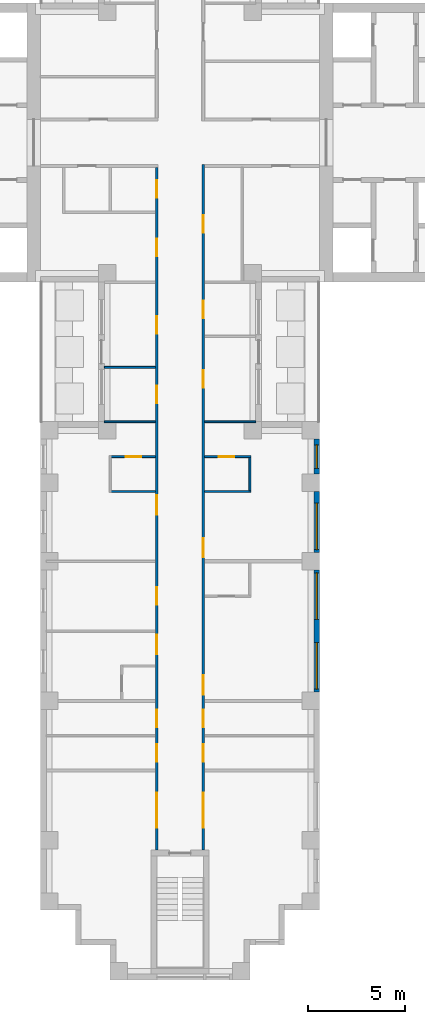
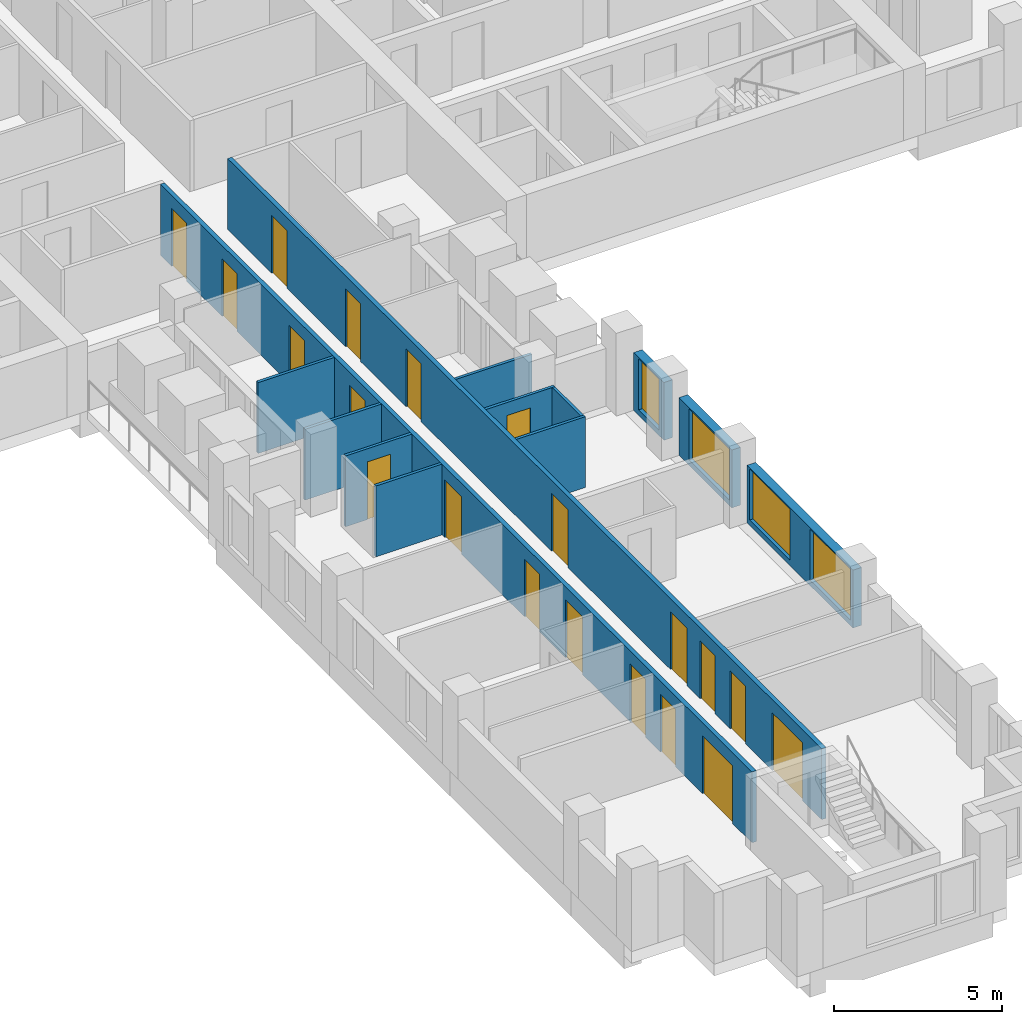
# One storey, part 4 of 15: 20 doors, 13 walls, 4 windows, 24 openings.
"""IFC4 building model written with IfcOpenShell, lengths in metres."""

import ifcopenshell
import ifcopenshell.guid

model = None  # the IFC model being written
_history = None  # IfcOwnerHistory: only IFC2X3 demands one
_inside = {}  # id of a spatial element -> (the spatial element, [elements in it])
_under = {}  # id of a project, library or spatial element -> (it, [spatial elements below it])
_declared = {}  # id of a project -> (the project, [libraries it declares])
_typed = {}  # id of a type object -> (the type object, [elements of that type])
_made_of = {}  # id of a material, layer set ... -> (it, [elements and type objects made of it])


def new_model(schema):
    """Start an empty IFC model of exactly this schema.

    Asked for "IFC4X3", IfcOpenShell would pick the latest addendum, in which some entities
    have other attributes; the version numbers below select the first issue.
    IFC2X3 requires an IfcOwnerHistory on every rooted entity: one is made here for all.
    """
    global model, _history
    if schema == "IFC4X3":
        model = ifcopenshell.file(schema_version=(4, 3, 0, 0))
    else:
        model = ifcopenshell.file(schema=schema)
    _inside.clear()
    _under.clear()
    _declared.clear()
    _typed.clear()
    _made_of.clear()
    _history = None
    if model.schema == "IFC2X3":
        org = make("IfcOrganization", Name="unknown")
        user = make(
            "IfcPersonAndOrganization",
            ThePerson=make("IfcPerson", FamilyName="unknown"),
            TheOrganization=org,
        )
        app = make(
            "IfcApplication",
            ApplicationDeveloper=org,
            Version="unknown",
            ApplicationFullName="unknown",
            ApplicationIdentifier="unknown",
        )
        _history = make(
            "IfcOwnerHistory",
            OwningUser=user,
            OwningApplication=app,
            ChangeAction="ADDED",
            CreationDate=0,
        )
    return model


def make(cls, **values):
    """One entity of the class cls with the attributes given. An attribute that is None is left unset."""
    return model.create_entity(
        cls, **{name: value for name, value in values.items() if value is not None}
    )


def rooted(cls, **values):
    """An entity with a GlobalId (a new one), such as an element, a storey or a relation."""
    return make(cls, GlobalId=ifcopenshell.guid.new(), OwnerHistory=_history, **values)


def si_unit(unit_type, name, prefix=None):
    """IfcSIUnit, for example si_unit("LENGTHUNIT", "METRE", prefix="MILLI")."""
    return make("IfcSIUnit", UnitType=unit_type, Prefix=prefix, Name=name)


def assignment(units):
    """IfcUnitAssignment: the units of a project."""
    return None if units is None else make("IfcUnitAssignment", Units=units)


def point(xyz):
    """IfcCartesianPoint."""
    return None if xyz is None else make("IfcCartesianPoint", Coordinates=xyz)


def direction(xyz):
    """IfcDirection."""
    return None if xyz is None else make("IfcDirection", DirectionRatios=xyz)


def frame(location, z_axis=None, x_axis=None):
    """IfcAxis2Placement3D, a coordinate frame: its origin and axes. An axis left out is left unset."""
    return make(
        "IfcAxis2Placement3D",
        Location=point(location),
        Axis=direction(z_axis),
        RefDirection=direction(x_axis),
    )


def frame_2d(location, x_axis=None):
    """IfcAxis2Placement2D, a coordinate frame in the plane: its origin and x axis."""
    return make(
        "IfcAxis2Placement2D", Location=point(location), RefDirection=direction(x_axis)
    )


def origin():
    """The frame at (0, 0, 0) with its axes left unset."""
    return frame((0.0, 0.0, 0.0))


def place(relative_to, where):
    """IfcLocalPlacement: puts the frame where relative to a parent placement (None: the world)."""
    return make(
        "IfcLocalPlacement", PlacementRelTo=relative_to, RelativePlacement=where
    )


def context(
    kind, dimensions, precision=None, world=None, true_north=None, identifier=None
):
    """IfcGeometricRepresentationContext, for example the 3D "Model" context."""
    return make(
        "IfcGeometricRepresentationContext",
        ContextIdentifier=identifier,
        ContextType=kind,
        CoordinateSpaceDimension=dimensions,
        Precision=precision,
        WorldCoordinateSystem=world,
        TrueNorth=true_north,
    )


def subcontext(parent, identifier, kind, view, scale=None):
    """IfcGeometricRepresentationSubContext, for example "Body" below "Model"."""
    return make(
        "IfcGeometricRepresentationSubContext",
        ContextIdentifier=identifier,
        ContextType=kind,
        ParentContext=parent,
        TargetScale=scale,
        TargetView=view,
    )


def project(units=None, contexts=None):
    """IfcProject with its units and contexts."""
    return rooted(
        "IfcProject",
        Name="project",
        RepresentationContexts=contexts,
        UnitsInContext=assignment(units),
    )


def spatial(cls, under=None, at=None, **own):
    """A site, building, storey or space (cls), placed at a placement, below another one or the project."""
    s = rooted(cls, ObjectPlacement=at, **own)
    if under is not None:
        _under.setdefault(under.id(), (under, []))[1].append(s)
    return s


def profile(cls, at=None, kind="AREA", **sizes):
    """A parametric profile (cls). Its sizes go by their IFC names, for example OverallWidth=200.0."""
    return make(cls, ProfileType=kind, Position=at, **sizes)


def rectangle(**sizes):
    """IfcRectangleProfileDef."""
    return profile("IfcRectangleProfileDef", **sizes)


def extrude(swept, where, along, depth):
    """IfcExtrudedAreaSolid: the profile swept, set in the frame where, extruded along a direction by depth."""
    return make(
        "IfcExtrudedAreaSolid",
        SweptArea=swept,
        Position=where,
        ExtrudedDirection=direction(along),
        Depth=depth,
    )


def shape(context_of_items, identifier, shape_type, items):
    """IfcShapeRepresentation: the items that make up one representation, for example the "Body"."""
    return make(
        "IfcShapeRepresentation",
        ContextOfItems=context_of_items,
        RepresentationIdentifier=identifier,
        RepresentationType=shape_type,
        Items=items,
    )


def material(Name=None, Category=None):
    """IfcMaterial."""
    return make("IfcMaterial", Name=Name, Category=Category)


def layer(
    of_material, thickness, ventilated=None, Name=None, Category=None, Priority=None
):
    """IfcMaterialLayer: one layer of a wall or slab, of a material (None: an air gap)."""
    return make(
        "IfcMaterialLayer",
        Material=of_material,
        LayerThickness=thickness,
        IsVentilated=ventilated,
        Name=Name,
        Category=Category,
        Priority=Priority,
    )


def layer_set(layers, Name=None):
    """IfcMaterialLayerSet."""
    return make("IfcMaterialLayerSet", MaterialLayers=layers, LayerSetName=Name)


def made_of(thing, what):
    """Note that an element or type object is made of a material, layer set ...; save() writes the relation."""
    if what is not None:
        _made_of.setdefault(what.id(), (what, []))[1].append(thing)
    return thing


def type_object(cls, material=None, **own):
    """A type object (cls), such as IfcWallType, which elements share."""
    return made_of(rooted(cls, **own), material)


def element(
    cls,
    number,
    at=None,
    inside=None,
    cuts=None,
    type_object=None,
    material=None,
    context=None,
    identifier="Body",
    shape_type=None,
    held_by="IfcProductDefinitionShape",
    body=None,
    shapes=None,
    **own,
):
    """One element of the class cls, such as IfcWall. Its Tag is "e" and its number.

    at: its placement. inside: the storey or other place that contains it. cuts: it is an
    opening in that element (IfcRelVoidsElement). A single representation is given by context,
    identifier, shape_type and body (its items); several are given by shapes. held_by: the class
    of the entity that holds the representations. save() writes the other relations.
    """
    e = rooted(cls, Tag="e%d" % number, ObjectPlacement=at, **own)
    if body is not None:
        shapes = [shape(context, identifier, shape_type, body)]
    if shapes is not None:
        e.Representation = make(held_by, Representations=shapes)
    if inside is not None:
        _inside.setdefault(inside.id(), (inside, []))[1].append(e)
    if cuts is not None:
        rooted(
            "IfcRelVoidsElement", RelatingBuildingElement=cuts, RelatedOpeningElement=e
        )
    if type_object is not None:
        _typed.setdefault(type_object.id(), (type_object, []))[1].append(e)
    return made_of(e, material)


def fill(opening, filler):
    """IfcRelFillsElement: the door or window that sits in an opening."""
    return rooted(
        "IfcRelFillsElement",
        RelatingOpeningElement=opening,
        RelatedBuildingElement=filler,
    )


def aggregate(whole, parts):
    """IfcRelAggregates: a whole, such as a stair, and the parts it consists of."""
    return rooted("IfcRelAggregates", RelatingObject=whole, RelatedObjects=parts)


def save(model, path):
    """Write the relations noted so far, then the file.

    IfcRelAggregates (storeys below a building ...), IfcRelContainedInSpatialStructure (elements
    in a storey), IfcRelDefinesByType, IfcRelAssociatesMaterial and IfcRelDeclares: one each for
    every whole, place, type object, material and project.
    """
    for whole, parts in _under.values():
        aggregate(whole, parts)
    for where, things in _inside.values():
        rooted(
            "IfcRelContainedInSpatialStructure",
            RelatedElements=things,
            RelatingStructure=where,
        )
    for kind, things in _typed.values():
        rooted("IfcRelDefinesByType", RelatedObjects=things, RelatingType=kind)
    for what, things in _made_of.values():
        rooted("IfcRelAssociatesMaterial", RelatedObjects=things, RelatingMaterial=what)
    for by, libraries in _declared.values():
        rooted("IfcRelDeclares", RelatingContext=by, RelatedDefinitions=libraries)
    model.write(path)


model = new_model("IFC4")

# Units and contexts
model_context = context("Model", 3, precision=1e-05, world=origin(), true_north=direction((0.0, 1.0)))
body_context = subcontext(model_context, "Body", "Model", "MODEL_VIEW")
ifc_project = project(units=[si_unit("LENGTHUNIT", "METRE"), si_unit("AREAUNIT", "SQUARE_METRE"), si_unit("VOLUMEUNIT", "CUBIC_METRE"), si_unit("PLANEANGLEUNIT", "RADIAN"), si_unit("MASSUNIT", "GRAM", prefix="KILO")], contexts=[model_context])

# Site, building, storey
site_placement = place(None, origin())
site = spatial("IfcSite", under=ifc_project, at=site_placement, CompositionType="ELEMENT")
building_placement = place(site_placement, origin())
building = spatial("IfcBuilding", under=site, at=building_placement, Name="Fustian Cross Tower", CompositionType="ELEMENT")
storey_placement = place(building_placement, frame((0.0, 0.0, 35.699951171875)))
storey = spatial("IfcBuildingStorey", under=building, at=storey_placement, Name="L10", CompositionType="ELEMENT", Elevation=35.699951171875)

# Wall, openings, doors
ifc_material_1 = material(Name="Plasterboard on steel stud", Category="steel")
ifc_layer_1 = layer(ifc_material_1, 0.14990234375)
ifc_layer_set_1 = layer_set([ifc_layer_1], Name="Plasterboard on steel stud")
wall_type_1 = type_object("IfcWallType", Name="COMPARTMENT WALL 150 EI 60", PredefinedType="PARTITIONING", material=ifc_layer_set_1)
wall_1_placement = place(storey_placement, frame((-1.199951171875, -36.5, 0.0), z_axis=(0.0, 0.0, 1.0), x_axis=(0.0, 1.0, 0.0)))
wall_1 = element("IfcWall", 1, at=wall_1_placement, inside=storey, type_object=wall_type_1, Name="Partition 38", PredefinedType="PARTITIONING", context=body_context, shape_type="SweptSolid", body=[
    extrude(rectangle(XDim=35.22509765625, YDim=0.14990234375, at=frame_2d((17.612548828125, 0.0))), origin(), (0.0, 0.0, 1.0), 2.574951171875),
])
opening_1_placement = place(wall_1_placement, frame((33.64990234375, 0.0, 0.0)))
opening_1 = element("IfcOpeningElement", 2, at=opening_1_placement, cuts=wall_1, Name="Opening D07007", PredefinedType="OPENING", context=body_context, shape_type="SweptSolid", body=[
    extrude(rectangle(XDim=0.89990234375, YDim=2.10009765625, at=frame_2d((0.449951171875, 1.050048828125))), frame((0.0, 0.0849609375, 0.0), z_axis=(0.0, -1.0, 0.0), x_axis=(1.0, 0.0, 0.0)), (0.0, 0.0, 1.0), 0.169921875),
])
opening_2_placement = place(wall_1_placement, frame((30.64990234375, 0.0, 0.0)))
opening_2 = element("IfcOpeningElement", 3, at=opening_2_placement, cuts=wall_1, Name="Opening D07009", PredefinedType="OPENING", context=body_context, shape_type="SweptSolid", body=[
    extrude(rectangle(XDim=0.89990234375, YDim=2.10009765625, at=frame_2d((0.449951171875, 1.050048828125))), frame((0.0, 0.0849609375, 0.0), z_axis=(0.0, -1.0, 0.0), x_axis=(1.0, 0.0, 0.0)), (0.0, 0.0, 1.0), 0.169921875),
])
opening_3_placement = place(wall_1_placement, frame((23.050048828125, 0.0, 0.0)))
opening_3 = element("IfcOpeningElement", 4, at=opening_3_placement, cuts=wall_1, Name="Opening D07058", PredefinedType="OPENING", context=body_context, shape_type="SweptSolid", body=[
    extrude(rectangle(XDim=0.89990234375, YDim=2.10009765625, at=frame_2d((0.449951171875, 1.050048828125))), frame((0.0, 0.0849609375, 0.0), z_axis=(0.0, -1.0, 0.0), x_axis=(1.0, 0.0, 0.0)), (0.0, 0.0, 1.0), 0.169921875),
])
opening_4_placement = place(wall_1_placement, frame((26.64990234375, 0.0, 0.0)))
opening_4 = element("IfcOpeningElement", 5, at=opening_4_placement, cuts=wall_1, Name="Opening D07059", PredefinedType="OPENING", context=body_context, shape_type="SweptSolid", body=[
    extrude(rectangle(XDim=0.89990234375, YDim=2.10009765625, at=frame_2d((0.449951171875, 1.050048828125))), frame((0.0, 0.0849609375, 0.0), z_axis=(0.0, -1.0, 0.0), x_axis=(1.0, 0.0, 0.0)), (0.0, 0.0, 1.0), 0.169921875),
])
opening_5_placement = place(wall_1_placement, frame((17.300048828125, 0.0, 0.0)))
opening_5 = element("IfcOpeningElement", 6, at=opening_5_placement, cuts=wall_1, Name="Opening D07061", PredefinedType="OPENING", context=body_context, shape_type="SweptSolid", body=[
    extrude(rectangle(XDim=1.0, YDim=2.10009765625, at=frame_2d((0.5, 1.050048828125))), frame((0.0, 0.0849609375, 0.0), z_axis=(0.0, -1.0, 0.0), x_axis=(1.0, 0.0, 0.0)), (0.0, 0.0, 1.0), 0.169921875),
])
opening_6_placement = place(wall_1_placement, frame((12.64990234375, 0.0, 0.0)))
opening_6 = element("IfcOpeningElement", 7, at=opening_6_placement, cuts=wall_1, Name="Opening D07062", PredefinedType="OPENING", context=body_context, shape_type="SweptSolid", body=[
    extrude(rectangle(XDim=0.89990234375, YDim=2.10009765625, at=frame_2d((0.449951171875, 1.050048828125))), frame((0.0, 0.0849609375, 0.0), z_axis=(0.0, -1.0, 0.0), x_axis=(1.0, 0.0, 0.0)), (0.0, 0.0, 1.0), 0.169921875),
])
opening_7_placement = place(wall_1_placement, frame((10.10009765625, 0.0, 0.0)))
opening_7 = element("IfcOpeningElement", 8, at=opening_7_placement, cuts=wall_1, Name="Opening D07064", PredefinedType="OPENING", context=body_context, shape_type="SweptSolid", body=[
    extrude(rectangle(XDim=1.0, YDim=2.10009765625, at=frame_2d((0.5, 1.050048828125))), frame((0.0, 0.0849609375, 0.0), z_axis=(0.0, -1.0, 0.0), x_axis=(1.0, 0.0, 0.0)), (0.0, 0.0, 1.0), 0.169921875),
])
opening_8_placement = place(wall_1_placement, frame((6.35009765625, 0.0, 0.0)))
opening_8 = element("IfcOpeningElement", 9, at=opening_8_placement, cuts=wall_1, Name="Opening D07065", PredefinedType="OPENING", context=body_context, shape_type="SweptSolid", body=[
    extrude(rectangle(XDim=0.89990234375, YDim=2.10009765625, at=frame_2d((0.449951171875, 1.050048828125))), frame((0.0, 0.0849609375, 0.0), z_axis=(0.0, -1.0, 0.0), x_axis=(1.0, 0.0, 0.0)), (0.0, 0.0, 1.0), 0.169921875),
])
opening_9_placement = place(wall_1_placement, frame((4.550048828125, 0.0, 0.0)))
opening_9 = element("IfcOpeningElement", 10, at=opening_9_placement, cuts=wall_1, Name="Opening D07066", PredefinedType="OPENING", context=body_context, shape_type="SweptSolid", body=[
    extrude(rectangle(XDim=0.89990234375, YDim=2.10009765625, at=frame_2d((0.449951171875, 1.050048828125))), frame((0.0, 0.0849609375, 0.0), z_axis=(0.0, -1.0, 0.0), x_axis=(1.0, 0.0, 0.0)), (0.0, 0.0, 1.0), 0.169921875),
])
opening_10_placement = place(wall_1_placement, frame((1.14990234375, 0.0, 0.0)))
opening_10 = element("IfcOpeningElement", 11, at=opening_10_placement, cuts=wall_1, Name="Opening D07067", PredefinedType="OPENING", context=body_context, shape_type="SweptSolid", body=[
    extrude(rectangle(XDim=1.800048828125, YDim=2.10009765625, at=frame_2d((0.89990234375, 1.050048828125))), frame((0.0, 0.0849609375, 0.0), z_axis=(0.0, -1.0, 0.0), x_axis=(1.0, 0.0, 0.0)), (0.0, 0.0, 1.0), 0.169921875),
])
ifc_material_2 = material(Name="Timber fire door set", Category="wood")
door_type_1 = type_object("IfcDoorType", Name="FIRE DOUBLE DOOR 1800 FD30S", OperationType="DOUBLE_DOOR_DOUBLE_SWING", PredefinedType="DOOR", material=ifc_material_2)
door_1_placement = place(opening_10_placement, frame((1.800048828125, 0.0, 0.0), z_axis=(0.0, 0.0, 1.0), x_axis=(-1.0, 0.0, 0.0)))
door_1 = element("IfcDoor", 12, at=door_1_placement, inside=storey, type_object=door_type_1, Name="Door D07067", OperationType="DOUBLE_DOOR_DOUBLE_SWING", OverallHeight=2.10009765625, OverallWidth=1.800048828125, PredefinedType="DOOR", context=body_context, shape_type="SweptSolid", body=[
    extrude(rectangle(XDim=1.800048828125, YDim=2.10009765625, at=frame_2d((0.89990234375, 1.050048828125))), frame((0.0, 0.02490234375, 0.0), z_axis=(0.0, -1.0, 0.0), x_axis=(1.0, 0.0, 0.0)), (0.0, 0.0, 1.0), 0.050048828125),
])
fill(opening_10, door_1)
ifc_material_3 = material(Name="Timber fire door set", Category="wood")
door_type_2 = type_object("IfcDoorType", Name="FIRE SWING DOOR 1000 FD30S", OperationType="SINGLE_SWING_LEFT", PredefinedType="DOOR", material=ifc_material_3)
door_2_placement = place(opening_5_placement, origin())
door_2 = element("IfcDoor", 13, at=door_2_placement, inside=storey, type_object=door_type_2, Name="Door D07061", OperationType="SINGLE_SWING_RIGHT", OverallHeight=2.10009765625, OverallWidth=1.0, PredefinedType="DOOR", context=body_context, shape_type="SweptSolid", body=[
    extrude(rectangle(XDim=1.0, YDim=2.10009765625, at=frame_2d((0.5, 1.050048828125))), frame((0.0, 0.02490234375, 0.0), z_axis=(0.0, -1.0, 0.0), x_axis=(1.0, 0.0, 0.0)), (0.0, 0.0, 1.0), 0.050048828125),
])
fill(opening_5, door_2)
door_3_placement = place(opening_7_placement, origin())
door_3 = element("IfcDoor", 14, at=door_3_placement, inside=storey, type_object=door_type_2, Name="Door D07064", OperationType="SINGLE_SWING_RIGHT", OverallHeight=2.10009765625, OverallWidth=1.0, PredefinedType="DOOR", context=body_context, shape_type="SweptSolid", body=[
    extrude(rectangle(XDim=1.0, YDim=2.10009765625, at=frame_2d((0.5, 1.050048828125))), frame((0.0, 0.02490234375, 0.0), z_axis=(0.0, -1.0, 0.0), x_axis=(1.0, 0.0, 0.0)), (0.0, 0.0, 1.0), 0.050048828125),
])
fill(opening_7, door_3)
ifc_material_4 = material(Name="Timber fire door set", Category="wood")
door_type_3 = type_object("IfcDoorType", Name="FIRE SWING DOOR 900 FD30S", OperationType="SINGLE_SWING_LEFT", PredefinedType="DOOR", material=ifc_material_4)
door_4_placement = place(opening_1_placement, origin())
door_4 = element("IfcDoor", 15, at=door_4_placement, inside=storey, type_object=door_type_3, Name="Door D07007", OperationType="SINGLE_SWING_LEFT", OverallHeight=2.10009765625, OverallWidth=0.89990234375, PredefinedType="DOOR", context=body_context, shape_type="SweptSolid", body=[
    extrude(rectangle(XDim=0.89990234375, YDim=2.10009765625, at=frame_2d((0.449951171875, 1.050048828125))), frame((0.0, 0.02490234375, 0.0), z_axis=(0.0, -1.0, 0.0), x_axis=(1.0, 0.0, 0.0)), (0.0, 0.0, 1.0), 0.050048828125),
])
fill(opening_1, door_4)
door_5_placement = place(opening_2_placement, origin())
door_5 = element("IfcDoor", 16, at=door_5_placement, inside=storey, type_object=door_type_3, Name="Door D07009", OperationType="SINGLE_SWING_LEFT", OverallHeight=2.10009765625, OverallWidth=0.89990234375, PredefinedType="DOOR", context=body_context, shape_type="SweptSolid", body=[
    extrude(rectangle(XDim=0.89990234375, YDim=2.10009765625, at=frame_2d((0.449951171875, 1.050048828125))), frame((0.0, 0.02490234375, 0.0), z_axis=(0.0, -1.0, 0.0), x_axis=(1.0, 0.0, 0.0)), (0.0, 0.0, 1.0), 0.050048828125),
])
fill(opening_2, door_5)
door_6_placement = place(opening_3_placement, origin())
door_6 = element("IfcDoor", 17, at=door_6_placement, inside=storey, type_object=door_type_3, Name="Door D07058", OperationType="SINGLE_SWING_LEFT", OverallHeight=2.10009765625, OverallWidth=0.89990234375, PredefinedType="DOOR", context=body_context, shape_type="SweptSolid", body=[
    extrude(rectangle(XDim=0.89990234375, YDim=2.10009765625, at=frame_2d((0.449951171875, 1.050048828125))), frame((0.0, 0.02490234375, 0.0), z_axis=(0.0, -1.0, 0.0), x_axis=(1.0, 0.0, 0.0)), (0.0, 0.0, 1.0), 0.050048828125),
])
fill(opening_3, door_6)
door_7_placement = place(opening_4_placement, origin())
door_7 = element("IfcDoor", 18, at=door_7_placement, inside=storey, type_object=door_type_3, Name="Door D07059", OperationType="SINGLE_SWING_LEFT", OverallHeight=2.10009765625, OverallWidth=0.89990234375, PredefinedType="DOOR", context=body_context, shape_type="SweptSolid", body=[
    extrude(rectangle(XDim=0.89990234375, YDim=2.10009765625, at=frame_2d((0.449951171875, 1.050048828125))), frame((0.0, 0.02490234375, 0.0), z_axis=(0.0, -1.0, 0.0), x_axis=(1.0, 0.0, 0.0)), (0.0, 0.0, 1.0), 0.050048828125),
])
fill(opening_4, door_7)
door_8_placement = place(opening_6_placement, origin())
door_8 = element("IfcDoor", 19, at=door_8_placement, inside=storey, type_object=door_type_3, Name="Door D07062", OperationType="SINGLE_SWING_LEFT", OverallHeight=2.10009765625, OverallWidth=0.89990234375, PredefinedType="DOOR", context=body_context, shape_type="SweptSolid", body=[
    extrude(rectangle(XDim=0.89990234375, YDim=2.10009765625, at=frame_2d((0.449951171875, 1.050048828125))), frame((0.0, 0.02490234375, 0.0), z_axis=(0.0, -1.0, 0.0), x_axis=(1.0, 0.0, 0.0)), (0.0, 0.0, 1.0), 0.050048828125),
])
fill(opening_6, door_8)
door_9_placement = place(opening_8_placement, origin())
door_9 = element("IfcDoor", 20, at=door_9_placement, inside=storey, type_object=door_type_3, Name="Door D07065", OperationType="SINGLE_SWING_RIGHT", OverallHeight=2.10009765625, OverallWidth=0.89990234375, PredefinedType="DOOR", context=body_context, shape_type="SweptSolid", body=[
    extrude(rectangle(XDim=0.89990234375, YDim=2.10009765625, at=frame_2d((0.449951171875, 1.050048828125))), frame((0.0, 0.02490234375, 0.0), z_axis=(0.0, -1.0, 0.0), x_axis=(1.0, 0.0, 0.0)), (0.0, 0.0, 1.0), 0.050048828125),
])
fill(opening_8, door_9)
door_10_placement = place(opening_9_placement, origin())
door_10 = element("IfcDoor", 21, at=door_10_placement, inside=storey, type_object=door_type_3, Name="Door D07066", OperationType="SINGLE_SWING_RIGHT", OverallHeight=2.10009765625, OverallWidth=0.89990234375, PredefinedType="DOOR", context=body_context, shape_type="SweptSolid", body=[
    extrude(rectangle(XDim=0.89990234375, YDim=2.10009765625, at=frame_2d((0.449951171875, 1.050048828125))), frame((0.0, 0.02490234375, 0.0), z_axis=(0.0, -1.0, 0.0), x_axis=(1.0, 0.0, 0.0)), (0.0, 0.0, 1.0), 0.050048828125),
])
fill(opening_9, door_10)

wall_2_placement = place(storey_placement, frame((1.199951171875, -36.5, 0.0), z_axis=(0.0, 0.0, 1.0), x_axis=(0.0, 1.0, 0.0)))
wall_2 = element("IfcWall", 22, at=wall_2_placement, inside=storey, type_object=wall_type_1, Name="Partition 40", PredefinedType="PARTITIONING", context=body_context, shape_type="SweptSolid", body=[
    extrude(rectangle(XDim=35.375, YDim=0.14990234375, at=frame_2d((17.6875, 0.0))), origin(), (0.0, 0.0, 1.0), 2.574951171875),
])
opening_11_placement = place(wall_2_placement, frame((31.85009765625, 0.0, 0.0)))
opening_11 = element("IfcOpeningElement", 23, at=opening_11_placement, cuts=wall_2, Name="Opening D07005", PredefinedType="OPENING", context=body_context, shape_type="SweptSolid", body=[
    extrude(rectangle(XDim=0.89990234375, YDim=2.10009765625, at=frame_2d((0.449951171875, 1.050048828125))), frame((0.0, 0.0849609375, 0.0), z_axis=(0.0, -1.0, 0.0), x_axis=(1.0, 0.0, 0.0)), (0.0, 0.0, 1.0), 0.169921875),
])
opening_12_placement = place(wall_2_placement, frame((27.449951171875, 0.0, 0.0)))
opening_12 = element("IfcOpeningElement", 24, at=opening_12_placement, cuts=wall_2, Name="Opening D07049", PredefinedType="OPENING", context=body_context, shape_type="SweptSolid", body=[
    extrude(rectangle(XDim=0.89990234375, YDim=2.10009765625, at=frame_2d((0.449951171875, 1.050048828125))), frame((0.0, 0.0849609375, 0.0), z_axis=(0.0, -1.0, 0.0), x_axis=(1.0, 0.0, 0.0)), (0.0, 0.0, 1.0), 0.169921875),
])
opening_13_placement = place(wall_2_placement, frame((23.85009765625, 0.0, 0.0)))
opening_13 = element("IfcOpeningElement", 25, at=opening_13_placement, cuts=wall_2, Name="Opening D07050", PredefinedType="OPENING", context=body_context, shape_type="SweptSolid", body=[
    extrude(rectangle(XDim=0.89990234375, YDim=2.10009765625, at=frame_2d((0.449951171875, 1.050048828125))), frame((0.0, 0.0849609375, 0.0), z_axis=(0.0, -1.0, 0.0), x_axis=(1.0, 0.0, 0.0)), (0.0, 0.0, 1.0), 0.169921875),
])
opening_14_placement = place(wall_2_placement, frame((15.10009765625, 0.0, 0.0)))
opening_14 = element("IfcOpeningElement", 26, at=opening_14_placement, cuts=wall_2, Name="Opening D07052", PredefinedType="OPENING", context=body_context, shape_type="SweptSolid", body=[
    extrude(rectangle(XDim=1.0, YDim=2.10009765625, at=frame_2d((0.5, 1.050048828125))), frame((0.0, 0.0849609375, 0.0), z_axis=(0.0, -1.0, 0.0), x_axis=(1.0, 0.0, 0.0)), (0.0, 0.0, 1.0), 0.169921875),
])
opening_15_placement = place(wall_2_placement, frame((8.010009765625, 0.0, 0.0)))
opening_15 = element("IfcOpeningElement", 27, at=opening_15_placement, cuts=wall_2, Name="Opening D07054", PredefinedType="OPENING", context=body_context, shape_type="SweptSolid", body=[
    extrude(rectangle(XDim=1.0, YDim=2.10009765625, at=frame_2d((0.5, 1.050048828125))), frame((0.0, 0.0849609375, 0.0), z_axis=(0.0, -1.0, 0.0), x_axis=(1.0, 0.0, 0.0)), (0.0, 0.0, 1.0), 0.169921875),
])
opening_16_placement = place(wall_2_placement, frame((6.35009765625, 0.0, 0.0)))
opening_16 = element("IfcOpeningElement", 28, at=opening_16_placement, cuts=wall_2, Name="Opening D07055", PredefinedType="OPENING", context=body_context, shape_type="SweptSolid", body=[
    extrude(rectangle(XDim=0.89990234375, YDim=2.10009765625, at=frame_2d((0.449951171875, 1.050048828125))), frame((0.0, 0.0849609375, 0.0), z_axis=(0.0, -1.0, 0.0), x_axis=(1.0, 0.0, 0.0)), (0.0, 0.0, 1.0), 0.169921875),
])
opening_17_placement = place(wall_2_placement, frame((4.550048828125, 0.0, 0.0)))
opening_17 = element("IfcOpeningElement", 29, at=opening_17_placement, cuts=wall_2, Name="Opening D07056", PredefinedType="OPENING", context=body_context, shape_type="SweptSolid", body=[
    extrude(rectangle(XDim=0.89990234375, YDim=2.10009765625, at=frame_2d((0.449951171875, 1.050048828125))), frame((0.0, 0.0849609375, 0.0), z_axis=(0.0, -1.0, 0.0), x_axis=(1.0, 0.0, 0.0)), (0.0, 0.0, 1.0), 0.169921875),
])
opening_18_placement = place(wall_2_placement, frame((1.14990234375, 0.0, 0.0)))
opening_18 = element("IfcOpeningElement", 30, at=opening_18_placement, cuts=wall_2, Name="Opening D07057", PredefinedType="OPENING", context=body_context, shape_type="SweptSolid", body=[
    extrude(rectangle(XDim=1.800048828125, YDim=2.10009765625, at=frame_2d((0.89990234375, 1.050048828125))), frame((0.0, 0.0849609375, 0.0), z_axis=(0.0, -1.0, 0.0), x_axis=(1.0, 0.0, 0.0)), (0.0, 0.0, 1.0), 0.169921875),
])
door_11_placement = place(opening_18_placement, origin())
door_11 = element("IfcDoor", 31, at=door_11_placement, inside=storey, type_object=door_type_1, Name="Door D07057", OperationType="DOUBLE_DOOR_DOUBLE_SWING", OverallHeight=2.10009765625, OverallWidth=1.800048828125, PredefinedType="DOOR", context=body_context, shape_type="SweptSolid", body=[
    extrude(rectangle(XDim=1.800048828125, YDim=2.10009765625, at=frame_2d((0.89990234375, 1.050048828125))), frame((0.0, 0.02490234375, 0.0), z_axis=(0.0, -1.0, 0.0), x_axis=(1.0, 0.0, 0.0)), (0.0, 0.0, 1.0), 0.050048828125),
])
fill(opening_18, door_11)
door_12_placement = place(opening_14_placement, frame((1.0, 0.0, 0.0), z_axis=(0.0, 0.0, 1.0), x_axis=(-1.0, 0.0, 0.0)))
door_12 = element("IfcDoor", 32, at=door_12_placement, inside=storey, type_object=door_type_2, Name="Door D07052", OperationType="SINGLE_SWING_RIGHT", OverallHeight=2.10009765625, OverallWidth=1.0, PredefinedType="DOOR", context=body_context, shape_type="SweptSolid", body=[
    extrude(rectangle(XDim=1.0, YDim=2.10009765625, at=frame_2d((0.5, 1.050048828125))), frame((0.0, 0.02490234375, 0.0), z_axis=(0.0, -1.0, 0.0), x_axis=(1.0, 0.0, 0.0)), (0.0, 0.0, 1.0), 0.050048828125),
])
fill(opening_14, door_12)
door_13_placement = place(opening_15_placement, frame((1.0, 0.0, 0.0), z_axis=(0.0, 0.0, 1.0), x_axis=(-1.0, 0.0, 0.0)))
door_13 = element("IfcDoor", 33, at=door_13_placement, inside=storey, type_object=door_type_2, Name="Door D07054", OperationType="SINGLE_SWING_RIGHT", OverallHeight=2.10009765625, OverallWidth=1.0, PredefinedType="DOOR", context=body_context, shape_type="SweptSolid", body=[
    extrude(rectangle(XDim=1.0, YDim=2.10009765625, at=frame_2d((0.5, 1.050048828125))), frame((0.0, 0.02490234375, 0.0), z_axis=(0.0, -1.0, 0.0), x_axis=(1.0, 0.0, 0.0)), (0.0, 0.0, 1.0), 0.050048828125),
])
fill(opening_15, door_13)
door_14_placement = place(opening_11_placement, frame((0.89990234375, 0.0, 0.0), z_axis=(0.0, 0.0, 1.0), x_axis=(-1.0, 0.0, 0.0)))
door_14 = element("IfcDoor", 34, at=door_14_placement, inside=storey, type_object=door_type_3, Name="Door D07005", OperationType="SINGLE_SWING_RIGHT", OverallHeight=2.10009765625, OverallWidth=0.89990234375, PredefinedType="DOOR", context=body_context, shape_type="SweptSolid", body=[
    extrude(rectangle(XDim=0.89990234375, YDim=2.10009765625, at=frame_2d((0.449951171875, 1.050048828125))), frame((0.0, 0.02490234375, 0.0), z_axis=(0.0, -1.0, 0.0), x_axis=(1.0, 0.0, 0.0)), (0.0, 0.0, 1.0), 0.050048828125),
])
fill(opening_11, door_14)
door_15_placement = place(opening_12_placement, frame((0.89990234375, 0.0, 0.0), z_axis=(0.0, 0.0, 1.0), x_axis=(-1.0, 0.0, 0.0)))
door_15 = element("IfcDoor", 35, at=door_15_placement, inside=storey, type_object=door_type_3, Name="Door D07049", OperationType="SINGLE_SWING_RIGHT", OverallHeight=2.10009765625, OverallWidth=0.89990234375, PredefinedType="DOOR", context=body_context, shape_type="SweptSolid", body=[
    extrude(rectangle(XDim=0.89990234375, YDim=2.10009765625, at=frame_2d((0.449951171875, 1.050048828125))), frame((0.0, 0.02490234375, 0.0), z_axis=(0.0, -1.0, 0.0), x_axis=(1.0, 0.0, 0.0)), (0.0, 0.0, 1.0), 0.050048828125),
])
fill(opening_12, door_15)
door_16_placement = place(opening_13_placement, frame((0.89990234375, 0.0, 0.0), z_axis=(0.0, 0.0, 1.0), x_axis=(-1.0, 0.0, 0.0)))
door_16 = element("IfcDoor", 36, at=door_16_placement, inside=storey, type_object=door_type_3, Name="Door D07050", OperationType="SINGLE_SWING_RIGHT", OverallHeight=2.10009765625, OverallWidth=0.89990234375, PredefinedType="DOOR", context=body_context, shape_type="SweptSolid", body=[
    extrude(rectangle(XDim=0.89990234375, YDim=2.10009765625, at=frame_2d((0.449951171875, 1.050048828125))), frame((0.0, 0.02490234375, 0.0), z_axis=(0.0, -1.0, 0.0), x_axis=(1.0, 0.0, 0.0)), (0.0, 0.0, 1.0), 0.050048828125),
])
fill(opening_13, door_16)
door_17_placement = place(opening_16_placement, frame((0.89990234375, 0.0, 0.0), z_axis=(0.0, 0.0, 1.0), x_axis=(-1.0, 0.0, 0.0)))
door_17 = element("IfcDoor", 37, at=door_17_placement, inside=storey, type_object=door_type_3, Name="Door D07055", OperationType="SINGLE_SWING_LEFT", OverallHeight=2.10009765625, OverallWidth=0.89990234375, PredefinedType="DOOR", context=body_context, shape_type="SweptSolid", body=[
    extrude(rectangle(XDim=0.89990234375, YDim=2.10009765625, at=frame_2d((0.449951171875, 1.050048828125))), frame((0.0, 0.02490234375, 0.0), z_axis=(0.0, -1.0, 0.0), x_axis=(1.0, 0.0, 0.0)), (0.0, 0.0, 1.0), 0.050048828125),
])
fill(opening_16, door_17)
door_18_placement = place(opening_17_placement, frame((0.89990234375, 0.0, 0.0), z_axis=(0.0, 0.0, 1.0), x_axis=(-1.0, 0.0, 0.0)))
door_18 = element("IfcDoor", 38, at=door_18_placement, inside=storey, type_object=door_type_3, Name="Door D07056", OperationType="SINGLE_SWING_LEFT", OverallHeight=2.10009765625, OverallWidth=0.89990234375, PredefinedType="DOOR", context=body_context, shape_type="SweptSolid", body=[
    extrude(rectangle(XDim=0.89990234375, YDim=2.10009765625, at=frame_2d((0.449951171875, 1.050048828125))), frame((0.0, 0.02490234375, 0.0), z_axis=(0.0, -1.0, 0.0), x_axis=(1.0, 0.0, 0.0)), (0.0, 0.0, 1.0), 0.050048828125),
])
fill(opening_17, door_18)

# Walls
ifc_material_5 = material(Name="Plasterboard on steel stud", Category="steel")
ifc_layer_2 = layer(ifc_material_5, 0.10009765625)
ifc_layer_set_2 = layer_set([ifc_layer_2], Name="Plasterboard on steel stud")
wall_type_2 = type_object("IfcWallType", Name="PARTITION 100 STUD", PredefinedType="PARTITIONING", material=ifc_layer_set_2)
for number, where, z_axis, x_axis, name in (
    (39, (-3.89990234375, -14.39990234375, 0.0), (0.0, 0.0, 1.0), (1.0, 0.0, 0.0), "Partition 24"),
    (40, (-3.89990234375, -11.60009765625, 0.0), (0.0, 0.0, 1.0), (1.0, 0.0, 0.0), "Partition 25"),
):
    element("IfcWall", number, at=place(storey_placement, frame(where, z_axis=z_axis, x_axis=x_axis)), inside=storey, type_object=wall_type_2, Name=name, PredefinedType="PARTITIONING", context=body_context, shape_type="SweptSolid", body=[
        extrude(rectangle(XDim=2.625, YDim=0.10009765625, at=frame_2d((1.3125, 0.0))), origin(), (0.0, 0.0, 1.0), 2.574951171875),
    ])
wall_3_placement = place(storey_placement, frame((-3.550048828125, -18.0, 0.0), z_axis=(0.0, 0.0, 1.0), x_axis=(1.0, 0.0, 0.0)))
element("IfcWall", 41, at=wall_3_placement, inside=storey, type_object=wall_type_2, Name="Partition 30", PredefinedType="PARTITIONING", context=body_context, shape_type="SweptSolid", body=[
    extrude(rectangle(XDim=2.275146484375, YDim=0.10009765625, at=frame_2d((1.1376953125, 0.0))), origin(), (0.0, 0.0, 1.0), 2.574951171875),
])

# Wall, opening, door
wall_4_placement = place(storey_placement, frame((-3.550048828125, -16.199951171875, 0.0), z_axis=(0.0, 0.0, 1.0), x_axis=(1.0, 0.0, 0.0)))
wall_4 = element("IfcWall", 42, at=wall_4_placement, inside=storey, type_object=wall_type_2, Name="Partition 31", PredefinedType="PARTITIONING", context=body_context, shape_type="SweptSolid", body=[
    extrude(rectangle(XDim=2.275146484375, YDim=0.10009765625, at=frame_2d((1.1376953125, 0.0))), origin(), (0.0, 0.0, 1.0), 2.574951171875),
])
opening_19_placement = place(wall_4_placement, frame((0.75, 0.0, 0.0)))
opening_19 = element("IfcOpeningElement", 43, at=opening_19_placement, cuts=wall_4, Name="Opening D07060", PredefinedType="OPENING", context=body_context, shape_type="SweptSolid", body=[
    extrude(rectangle(XDim=0.800048828125, YDim=2.10009765625, at=frame_2d((0.39990234375, 1.050048828125))), frame((0.0, 0.06005859375, 0.0), z_axis=(0.0, -1.0, 0.0), x_axis=(1.0, 0.0, 0.0)), (0.0, 0.0, 1.0), 0.1201171875),
])
ifc_material_6 = material(Name="Painted timber", Category="wood")
door_type_4 = type_object("IfcDoorType", Name="SWING DOOR 800", OperationType="SINGLE_SWING_LEFT", PredefinedType="DOOR", material=ifc_material_6)
door_19_placement = place(opening_19_placement, frame((0.800048828125, 0.0, 0.0), z_axis=(0.0, 0.0, 1.0), x_axis=(-1.0, 0.0, 0.0)))
door_19 = element("IfcDoor", 44, at=door_19_placement, inside=storey, type_object=door_type_4, Name="Door D07060", OperationType="SINGLE_SWING_RIGHT", OverallHeight=2.10009765625, OverallWidth=0.800048828125, PredefinedType="DOOR", context=body_context, shape_type="SweptSolid", body=[
    extrude(rectangle(XDim=0.800048828125, YDim=2.10009765625, at=frame_2d((0.39990234375, 1.050048828125))), frame((0.0, 0.02490234375, 0.0), z_axis=(0.0, -1.0, 0.0), x_axis=(1.0, 0.0, 0.0)), (0.0, 0.0, 1.0), 0.050048828125),
])
fill(opening_19, door_19)

# Wall
wall_5_placement = place(storey_placement, frame((1.27490234375, -18.0, 0.0), z_axis=(0.0, 0.0, 1.0), x_axis=(1.0, 0.0, 0.0)))
element("IfcWall", 45, at=wall_5_placement, inside=storey, type_object=wall_type_2, Name="Partition 46", PredefinedType="PARTITIONING", context=body_context, shape_type="SweptSolid", body=[
    extrude(rectangle(XDim=2.375, YDim=0.10009765625, at=frame_2d((1.1875, 0.0))), origin(), (0.0, 0.0, 1.0), 2.574951171875),
])

# Wall, opening, door
wall_6_placement = place(storey_placement, frame((1.27490234375, -16.199951171875, 0.0), z_axis=(0.0, 0.0, 1.0), x_axis=(1.0, 0.0, 0.0)))
wall_6 = element("IfcWall", 46, at=wall_6_placement, inside=storey, type_object=wall_type_2, Name="Partition 47", PredefinedType="PARTITIONING", context=body_context, shape_type="SweptSolid", body=[
    extrude(rectangle(XDim=2.375, YDim=0.10009765625, at=frame_2d((1.1875, 0.0))), origin(), (0.0, 0.0, 1.0), 2.574951171875),
])
opening_20_placement = place(wall_6_placement, frame((0.72509765625, 0.0, 0.0)))
opening_20 = element("IfcOpeningElement", 47, at=opening_20_placement, cuts=wall_6, Name="Opening D07051", PredefinedType="OPENING", context=body_context, shape_type="SweptSolid", body=[
    extrude(rectangle(XDim=0.800048828125, YDim=2.10009765625, at=frame_2d((0.39990234375, 1.050048828125))), frame((0.0, 0.06005859375, 0.0), z_axis=(0.0, -1.0, 0.0), x_axis=(1.0, 0.0, 0.0)), (0.0, 0.0, 1.0), 0.1201171875),
])
door_20_placement = place(opening_20_placement, frame((0.800048828125, 0.0, 0.0), z_axis=(0.0, 0.0, 1.0), x_axis=(-1.0, 0.0, 0.0)))
door_20 = element("IfcDoor", 48, at=door_20_placement, inside=storey, type_object=door_type_4, Name="Door D07051", OperationType="SINGLE_SWING_RIGHT", OverallHeight=2.10009765625, OverallWidth=0.800048828125, PredefinedType="DOOR", context=body_context, shape_type="SweptSolid", body=[
    extrude(rectangle(XDim=0.800048828125, YDim=2.10009765625, at=frame_2d((0.39990234375, 1.050048828125))), frame((0.0, 0.02490234375, 0.0), z_axis=(0.0, -1.0, 0.0), x_axis=(1.0, 0.0, 0.0)), (0.0, 0.0, 1.0), 0.050048828125),
])
fill(opening_20, door_20)

# Walls
wall_7_placement = place(storey_placement, frame((1.27490234375, -14.39990234375, 0.0), z_axis=(0.0, 0.0, 1.0), x_axis=(1.0, 0.0, 0.0)))
element("IfcWall", 49, at=wall_7_placement, inside=storey, type_object=wall_type_2, Name="Partition 48", PredefinedType="PARTITIONING", context=body_context, shape_type="SweptSolid", body=[
    extrude(rectangle(XDim=2.625, YDim=0.10009765625, at=frame_2d((1.3125, 0.0))), origin(), (0.0, 0.0, 1.0), 2.574951171875),
])
wall_8_placement = place(storey_placement, frame((3.60009765625, -17.949951171875, 0.0), z_axis=(0.0, 0.0, 1.0), x_axis=(0.0, 1.0, 0.0)))
element("IfcWall", 50, at=wall_8_placement, inside=storey, type_object=wall_type_2, Name="Partition 72", PredefinedType="PARTITIONING", context=body_context, shape_type="SweptSolid", body=[
    extrude(rectangle(XDim=1.699951171875, YDim=0.10009765625, at=frame_2d((0.85009765625, 0.0))), origin(), (0.0, 0.0, 1.0), 2.574951171875),
])

# Wall, openings, windows
ifc_material_7 = material(Name="Dark aluminium cladding on insulated backing wall", Category="aluminium")
ifc_layer_3 = layer(ifc_material_7, 0.300048828125)
ifc_layer_set_3 = layer_set([ifc_layer_3], Name="Dark aluminium cladding on insulated backing wall")
wall_type_3 = type_object("IfcWallType", Name="XW1 EXTERNAL WALL 300", PredefinedType="SOLIDWALL", material=ifc_layer_set_3)
wall_9_placement = place(storey_placement, frame((7.050048828125, -28.35009765625, 0.0), z_axis=(0.0, 0.0, 1.0), x_axis=(0.0, 1.0, 0.0)))
wall_9 = element("IfcWall", 51, at=wall_9_placement, inside=storey, type_object=wall_type_3, Name="External wall", PredefinedType="SOLIDWALL", context=body_context, shape_type="SweptSolid", body=[
    extrude(rectangle(XDim=6.300048828125, YDim=0.300048828125, at=frame_2d((3.14990234375, 0.0))), origin(), (0.0, 0.0, 1.0), 2.10009765625),
])
opening_21_placement = place(wall_9_placement, frame((0.14990234375, 0.0, 0.199951171875)))
opening_21 = element("IfcOpeningElement", 52, at=opening_21_placement, cuts=wall_9, Name="Opening WN1", PredefinedType="OPENING", context=body_context, shape_type="SweptSolid", body=[
    extrude(rectangle(XDim=2.39990234375, YDim=1.85009765625, at=frame_2d((1.199951171875, 0.925048828125))), frame((0.0, 0.159912109375, 0.0), z_axis=(0.0, -1.0, 0.0), x_axis=(1.0, 0.0, 0.0)), (0.0, 0.0, 1.0), 0.320068359375),
])
opening_22_placement = place(wall_9_placement, frame((3.75, 0.0, 0.199951171875)))
opening_22 = element("IfcOpeningElement", 53, at=opening_22_placement, cuts=wall_9, Name="Opening WN1", PredefinedType="OPENING", context=body_context, shape_type="SweptSolid", body=[
    extrude(rectangle(XDim=2.39990234375, YDim=1.85009765625, at=frame_2d((1.199951171875, 0.925048828125))), frame((0.0, 0.159912109375, 0.0), z_axis=(0.0, -1.0, 0.0), x_axis=(1.0, 0.0, 0.0)), (0.0, 0.0, 1.0), 0.320068359375),
])
ifc_material_8 = material(Name="Dark anodised aluminium and double glazing", Category="aluminium")
window_type_1 = type_object("IfcWindowType", Name="WN1 WINDOW 2400X1850", PartitioningType="SINGLE_PANEL", PredefinedType="WINDOW", material=ifc_material_8)
window_1_placement = place(opening_21_placement, origin())
window_1 = element("IfcWindow", 54, at=window_1_placement, inside=storey, type_object=window_type_1, Name="Window", OverallHeight=1.85009765625, OverallWidth=2.39990234375, PartitioningType="SINGLE_PANEL", PredefinedType="WINDOW", context=body_context, shape_type="SweptSolid", body=[
    extrude(rectangle(XDim=2.39990234375, YDim=1.85009765625, at=frame_2d((1.199951171875, 0.925048828125))), frame((0.0, 0.030029296875, 0.0), z_axis=(0.0, -1.0, 0.0), x_axis=(1.0, 0.0, 0.0)), (0.0, 0.0, 1.0), 0.06005859375),
])
fill(opening_21, window_1)
window_2_placement = place(opening_22_placement, origin())
window_2 = element("IfcWindow", 55, at=window_2_placement, inside=storey, type_object=window_type_1, Name="Window", OverallHeight=1.85009765625, OverallWidth=2.39990234375, PartitioningType="SINGLE_PANEL", PredefinedType="WINDOW", context=body_context, shape_type="SweptSolid", body=[
    extrude(rectangle(XDim=2.39990234375, YDim=1.85009765625, at=frame_2d((1.199951171875, 0.925048828125))), frame((0.0, 0.030029296875, 0.0), z_axis=(0.0, -1.0, 0.0), x_axis=(1.0, 0.0, 0.0)), (0.0, 0.0, 1.0), 0.06005859375),
])
fill(opening_22, window_2)

# Wall, opening, window
wall_10_placement = place(storey_placement, frame((7.050048828125, -21.14990234375, 0.0), z_axis=(0.0, 0.0, 1.0), x_axis=(0.0, 1.0, 0.0)))
wall_10 = element("IfcWall", 56, at=wall_10_placement, inside=storey, type_object=wall_type_3, Name="External wall", PredefinedType="SOLIDWALL", context=body_context, shape_type="SweptSolid", body=[
    extrude(rectangle(XDim=3.14990234375, YDim=0.300048828125, at=frame_2d((1.574951171875, 0.0))), origin(), (0.0, 0.0, 1.0), 2.10009765625),
])
opening_23_placement = place(wall_10_placement, frame((0.14990234375, 0.0, 0.199951171875)))
opening_23 = element("IfcOpeningElement", 57, at=opening_23_placement, cuts=wall_10, Name="Opening WN1", PredefinedType="OPENING", context=body_context, shape_type="SweptSolid", body=[
    extrude(rectangle(XDim=2.39990234375, YDim=1.85009765625, at=frame_2d((1.199951171875, 0.925048828125))), frame((0.0, 0.159912109375, 0.0), z_axis=(0.0, -1.0, 0.0), x_axis=(1.0, 0.0, 0.0)), (0.0, 0.0, 1.0), 0.320068359375),
])
window_3_placement = place(opening_23_placement, origin())
window_3 = element("IfcWindow", 58, at=window_3_placement, inside=storey, type_object=window_type_1, Name="Window", OverallHeight=1.85009765625, OverallWidth=2.39990234375, PartitioningType="SINGLE_PANEL", PredefinedType="WINDOW", context=body_context, shape_type="SweptSolid", body=[
    extrude(rectangle(XDim=2.39990234375, YDim=1.85009765625, at=frame_2d((1.199951171875, 0.925048828125))), frame((0.0, 0.030029296875, 0.0), z_axis=(0.0, -1.0, 0.0), x_axis=(1.0, 0.0, 0.0)), (0.0, 0.0, 1.0), 0.06005859375),
])
fill(opening_23, window_3)

wall_11_placement = place(storey_placement, frame((7.050048828125, -17.10009765625, 0.0), z_axis=(0.0, 0.0, 1.0), x_axis=(0.0, 1.0, 0.0)))
wall_11 = element("IfcWall", 59, at=wall_11_placement, inside=storey, type_object=wall_type_3, Name="External wall", PredefinedType="SOLIDWALL", context=body_context, shape_type="SweptSolid", body=[
    extrude(rectangle(XDim=1.800048828125, YDim=0.300048828125, at=frame_2d((0.89990234375, 0.0))), origin(), (0.0, 0.0, 1.0), 2.10009765625),
])
opening_24_placement = place(wall_11_placement, frame((0.300048828125, 0.0, 0.199951171875)))
opening_24 = element("IfcOpeningElement", 60, at=opening_24_placement, cuts=wall_11, Name="Opening WN3", PredefinedType="OPENING", context=body_context, shape_type="SweptSolid", body=[
    extrude(rectangle(XDim=1.199951171875, YDim=1.85009765625, at=frame_2d((0.60009765625, 0.925048828125))), frame((0.0, 0.159912109375, 0.0), z_axis=(0.0, -1.0, 0.0), x_axis=(1.0, 0.0, 0.0)), (0.0, 0.0, 1.0), 0.320068359375),
])
ifc_material_9 = material(Name="Dark anodised aluminium and double glazing", Category="aluminium")
window_type_2 = type_object("IfcWindowType", Name="WN3 WINDOW 1200X1850", PartitioningType="SINGLE_PANEL", PredefinedType="WINDOW", material=ifc_material_9)
window_4_placement = place(opening_24_placement, origin())
window_4 = element("IfcWindow", 61, at=window_4_placement, inside=storey, type_object=window_type_2, Name="Window", OverallHeight=1.85009765625, OverallWidth=1.199951171875, PartitioningType="SINGLE_PANEL", PredefinedType="WINDOW", context=body_context, shape_type="SweptSolid", body=[
    extrude(rectangle(XDim=1.199951171875, YDim=1.85009765625, at=frame_2d((0.60009765625, 0.925048828125))), frame((0.0, 0.030029296875, 0.0), z_axis=(0.0, -1.0, 0.0), x_axis=(1.0, 0.0, 0.0)), (0.0, 0.0, 1.0), 0.06005859375),
])
fill(opening_24, window_4)

save(model, "model.ifc")
